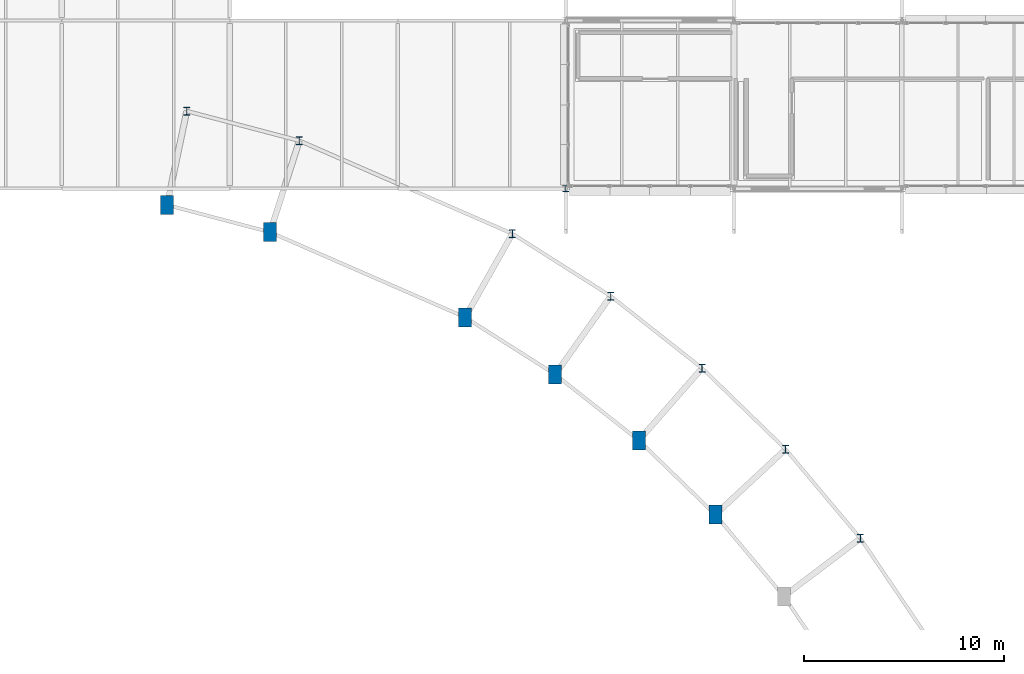
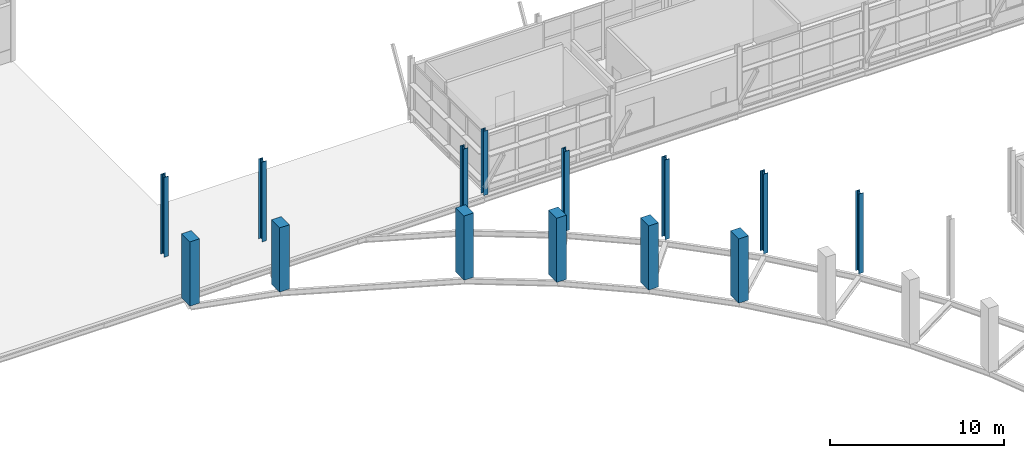
# One storey, part 2 of 129: 14 columns.
"""IFC4 building model written with IfcOpenShell, lengths in metres."""

from ifc_helpers import new_model, si_unit, direction, frame, origin, origin_2d, place, context, subcontext, project, spatial, rectangle, i_section, extrude, material, material_profile, profile_set, type_object, element, save


model = new_model("IFC4")

# Units and contexts
model_context = context("Model", 3, precision=1e-05, world=origin(), true_north=direction((0.0, 1.0)))
body_context = subcontext(model_context, "Body", "Model", "MODEL_VIEW")
ifc_project = project(units=[si_unit("LENGTHUNIT", "METRE"), si_unit("AREAUNIT", "SQUARE_METRE"), si_unit("VOLUMEUNIT", "CUBIC_METRE"), si_unit("PLANEANGLEUNIT", "RADIAN"), si_unit("MASSUNIT", "GRAM", prefix="KILO")], contexts=[model_context])

# Site, building, storey
site_placement = place(None, origin())
site = spatial("IfcSite", under=ifc_project, at=site_placement, CompositionType="ELEMENT")
building_placement = place(site_placement, origin())
building = spatial("IfcBuilding", under=site, at=building_placement, Name="Mersafa Astral City Hall", CompositionType="ELEMENT")
storey_placement = place(building_placement, frame((0.0, 0.0, 5.39990234375)))
storey = spatial("IfcBuildingStorey", under=building, at=storey_placement, Name="L01", CompositionType="ELEMENT", Elevation=5.39990234375)

# Columns
ifc_material_1 = material(Name="Steel S355", Category="steel")
ifc_material_profile_1 = material_profile(ifc_material_1, i_section(OverallWidth=0.300048828125, OverallDepth=0.300048828125, WebThickness=0.010986328125, FlangeThickness=0.01904296875, FilletRadius=0.027099609375, at=origin_2d()), Name="HEB 300")
ifc_profile_set_1 = profile_set([ifc_material_profile_1], Name="Steel S355")
column_type_1 = type_object("IfcColumnType", Name="STR-COL-HEB300", PredefinedType="COLUMN", material=ifc_profile_set_1)
column_placement = place(storey_placement, frame((42.0, 50.39990234375, 0.0), z_axis=(0.0, 0.0, 1.0), x_axis=(1.0, 0.0, 0.0)))
element("IfcColumn", 1, at=column_placement, inside=storey, type_object=column_type_1, Name="L01 Structural column G-05-06", PredefinedType="COLUMN", context=body_context, shape_type="SweptSolid", body=[
    extrude(i_section(OverallWidth=0.300048828125, OverallDepth=0.300048828125, WebThickness=0.010986328125, FlangeThickness=0.01904296875, FilletRadius=0.027099609375, at=origin_2d()), origin(), (0.0, 0.0, 1.0), 4.5),
])
ifc_material_profile_2 = material_profile(ifc_material_1, i_section(OverallWidth=0.300048828125, OverallDepth=0.39990234375, WebThickness=0.013427734375, FlangeThickness=0.02392578125, FilletRadius=0.027099609375, at=origin_2d()), Name="HEB 400")
ifc_profile_set_2 = profile_set([ifc_material_profile_2], Name="Steel S355")
column_type_2 = type_object("IfcColumnType", Name="STR-COL-HEB400", PredefinedType="COLUMN", material=ifc_profile_set_2)
for number, where, z_axis, x_axis, name in (
    (2, (23.047607421875, 54.273681640625, 0.0), (0.0, 0.0, 1.0), (1.0, 0.0, 0.0), "L01 Shaded Front Arcade inner column ARCI-02"),
    (3, (28.67431640625, 52.7900390625, 0.0), (0.0, 0.0, 1.0), (1.0, 0.0, 0.0), "L01 Shaded Front Arcade inner column ARCI-03"),
    (4, (39.32666015625, 48.140380859375, 0.0), (0.0, 0.0, 1.0), (1.0, 0.0, 0.0), "L01 Shaded Front Arcade inner column ARCI-05"),
    (5, (44.240234375, 45.0234375, 0.0), (0.0, 0.0, 1.0), (1.0, 0.0, 0.0), "L01 Shaded Front Arcade inner column ARCI-06"),
    (6, (48.809326171875, 41.419921875, 0.0), (0.0, 0.0, 1.0), (1.0, 0.0, 0.0), "L01 Shaded Front Arcade inner column ARCI-07"),
    (7, (52.985595703125, 37.367919921875, 0.0), (0.0, 0.0, 1.0), (1.0, 0.0, 0.0), "L01 Shaded Front Arcade inner column ARCI-08"),
    (8, (56.7255859375, 32.909912109375, 0.0), (0.0, 0.0, 1.0), (1.0, 0.0, 0.0), "L01 Shaded Front Arcade inner column ARCI-09"),
):
    element("IfcColumn", number, at=place(storey_placement, frame(where, z_axis=z_axis, x_axis=x_axis)), inside=storey, type_object=column_type_2, Name=name, PredefinedType="COLUMN", context=body_context, shape_type="SweptSolid", body=[
        extrude(i_section(OverallWidth=0.300048828125, OverallDepth=0.39990234375, WebThickness=0.013427734375, FlangeThickness=0.02392578125, FilletRadius=0.027099609375, at=origin_2d()), origin(), (0.0, 0.0, 1.0), 5.590087890625),
    ])
ifc_material_2 = material(Name="Concrete C40/50", Category="concrete")
ifc_material_profile_3 = material_profile(ifc_material_2, rectangle(XDim=0.64990234375, YDim=0.949951171875, at=origin_2d()), Name="RC 650x950")
ifc_profile_set_3 = profile_set([ifc_material_profile_3], Name="Concrete C40/50")
column_type_3 = type_object("IfcColumnType", Name="STR-PIER-RC650X950", PredefinedType="PILASTER", material=ifc_profile_set_3)
for number, where, z_axis, x_axis, name in (
    (9, (22.06298828125, 49.57568359375, 0.0), (0.0, 0.0, 1.0), (1.0, 0.0, 0.0), "L01 Shaded Front Arcade outer pier ARCO-02"),
    (10, (27.21435546875, 48.217529296875, 0.0), (0.0, 0.0, 1.0), (1.0, 0.0, 0.0), "L01 Shaded Front Arcade outer pier ARCO-03"),
    (11, (36.96630859375, 43.9609375, 0.0), (0.0, 0.0, 1.0), (1.0, 0.0, 0.0), "L01 Shaded Front Arcade outer pier ARCO-05"),
    (12, (41.46484375, 41.107177734375, 0.0), (0.0, 0.0, 1.0), (1.0, 0.0, 0.0), "L01 Shaded Front Arcade outer pier ARCO-06"),
    (13, (45.647705078125, 37.808349609375, 0.0), (0.0, 0.0, 1.0), (1.0, 0.0, 0.0), "L01 Shaded Front Arcade outer pier ARCO-07"),
    (14, (49.47119140625, 34.0986328125, 0.0), (0.0, 0.0, 1.0), (1.0, 0.0, 0.0), "L01 Shaded Front Arcade outer pier ARCO-08"),
):
    element("IfcColumn", number, at=place(storey_placement, frame(where, z_axis=z_axis, x_axis=x_axis)), inside=storey, type_object=column_type_3, Name=name, PredefinedType="PILASTER", context=body_context, shape_type="SweptSolid", body=[
        extrude(rectangle(XDim=0.64990234375, YDim=0.949951171875, at=origin_2d()), origin(), (0.0, 0.0, 1.0), 4.5),
    ])

save(model, "model.ifc")
